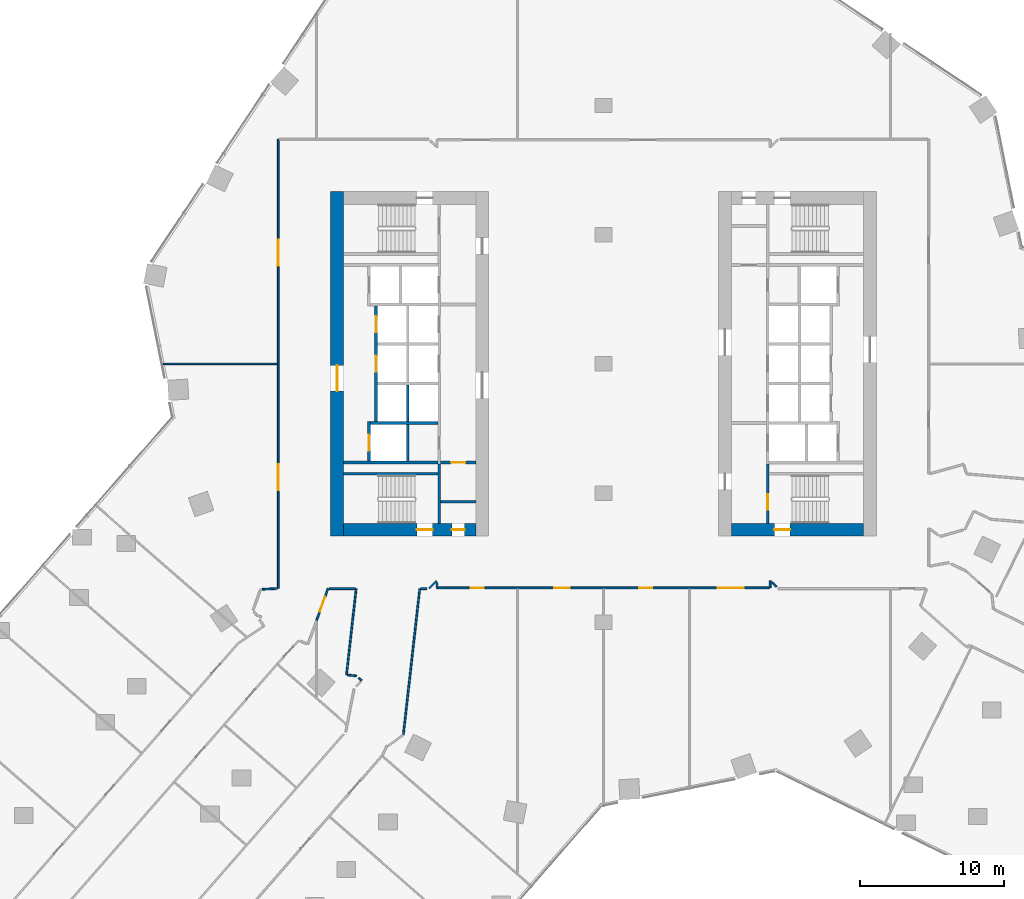
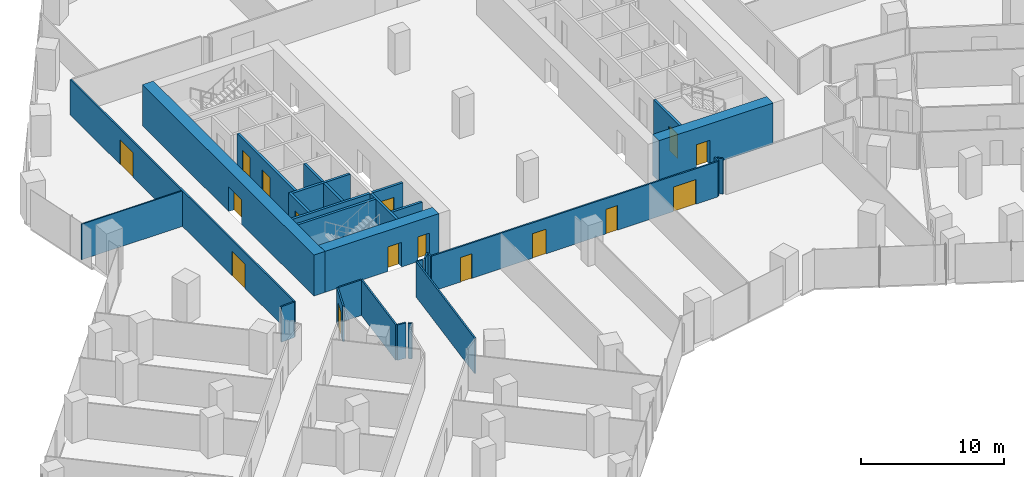
# One storey, part 27 of 38: 29 walls, 16 doors, 16 openings.
"""IFC4 building model written with IfcOpenShell, lengths in metres."""

from ifc_helpers import new_model, si_unit, direction, frame, frame_2d, origin, place, context, subcontext, project, spatial, rectangle, extrude, material, layer, layer_set, type_object, element, fill, save


model = new_model("IFC4")

# Units and contexts
model_context = context("Model", 3, precision=1e-05, world=origin(), true_north=direction((0.0, 1.0)))
body_context = subcontext(model_context, "Body", "Model", "MODEL_VIEW")
ifc_project = project(units=[si_unit("LENGTHUNIT", "METRE"), si_unit("AREAUNIT", "SQUARE_METRE"), si_unit("VOLUMEUNIT", "CUBIC_METRE"), si_unit("PLANEANGLEUNIT", "RADIAN"), si_unit("MASSUNIT", "GRAM", prefix="KILO")], contexts=[model_context])

# Site, building, storey
site_placement = place(None, origin())
site = spatial("IfcSite", under=ifc_project, at=site_placement, CompositionType="ELEMENT")
building_placement = place(site_placement, origin())
building = spatial("IfcBuilding", under=site, at=building_placement, Name="Orlundy Tower", CompositionType="ELEMENT")
storey_placement = place(building_placement, frame((0.0, 0.0, 69.300048828125)))
storey = spatial("IfcBuildingStorey", under=building, at=storey_placement, Name="L16", CompositionType="ELEMENT", Elevation=69.300048828125)

# Wall, openings, doors
ifc_material_1 = material(Name="Concrete C80/95", Category="concrete")
ifc_layer_1 = layer(ifc_material_1, 0.89990234375)
ifc_layer_set_1 = layer_set([ifc_layer_1], Name="CORE WALL 900 C80/95")
wall_type_1 = type_object("IfcWallType", Name="CORE WALL 900 C80/95", PredefinedType="SHEAR", material=ifc_layer_set_1)
wall_1_placement = place(storey_placement, frame((-18.10009765625, -11.550048828125, 0.0), z_axis=(0.0, 0.0, 1.0), x_axis=(1.0, 0.0, 0.0)))
wall_1 = element("IfcWall", 1, at=wall_1_placement, inside=storey, type_object=wall_type_1, Name="Core wall W-S L16", PredefinedType="SHEAR", context=body_context, shape_type="SweptSolid", body=[
    extrude(rectangle(XDim=9.2001953125, YDim=0.89990234375, at=frame_2d((4.60009765625, 0.0))), origin(), (0.0, 0.0, 1.0), 3.5),
])
opening_1_placement = place(wall_1_placement, frame((5.10009765625, 0.0, 0.0)))
opening_1 = element("IfcOpeningElement", 2, at=opening_1_placement, cuts=wall_1, Name="Opening 14013", PredefinedType="OPENING", context=body_context, shape_type="SweptSolid", body=[
    extrude(rectangle(XDim=1.10009765625, YDim=2.10009765625, at=frame_2d((0.550048828125, 1.050048828125))), frame((0.0, 0.4599609375, 0.0), z_axis=(0.0, -1.0, 0.0), x_axis=(1.0, 0.0, 0.0)), (0.0, 0.0, 1.0), 0.919921875),
])
opening_2_placement = place(wall_1_placement, frame((7.530029296875, 0.0, 0.0)))
opening_2 = element("IfcOpeningElement", 3, at=opening_2_placement, cuts=wall_1, Name="Opening 14015", PredefinedType="OPENING", context=body_context, shape_type="SweptSolid", body=[
    extrude(rectangle(XDim=0.89990234375, YDim=2.10009765625, at=frame_2d((0.449951171875, 1.050048828125))), frame((0.0, 0.4599609375, 0.0), z_axis=(0.0, -1.0, 0.0), x_axis=(1.0, 0.0, 0.0)), (0.0, 0.0, 1.0), 0.919921875),
])
ifc_material_2 = material(Name="Timber door set", Category="wood")
door_type_1 = type_object("IfcDoorType", Name="Room Door 900x2100", OperationType="SINGLE_SWING_LEFT", PredefinedType="DOOR", material=ifc_material_2)
door_1_placement = place(opening_2_placement, origin())
door_1 = element("IfcDoor", 4, at=door_1_placement, inside=storey, type_object=door_type_1, Name="Store door 14015", OperationType="SINGLE_SWING_RIGHT", OverallHeight=2.10009765625, OverallWidth=0.89990234375, PredefinedType="DOOR", context=body_context, shape_type="SweptSolid", body=[
    extrude(rectangle(XDim=0.89990234375, YDim=2.10009765625, at=frame_2d((0.449951171875, 1.050048828125))), frame((0.0, 0.02490234375, 0.0), z_axis=(0.0, -1.0, 0.0), x_axis=(1.0, 0.0, 0.0)), (0.0, 0.0, 1.0), 0.050048828125),
])
fill(opening_2, door_1)
ifc_material_3 = material(Name="Steel door set", Category="steel")
door_type_2 = type_object("IfcDoorType", Name="Stair Door 1100x2100", OperationType="SINGLE_SWING_LEFT", PredefinedType="DOOR", material=ifc_material_3)
door_2_placement = place(opening_1_placement, origin())
door_2 = element("IfcDoor", 5, at=door_2_placement, inside=storey, type_object=door_type_2, Name="Stair door 14013", OperationType="SINGLE_SWING_RIGHT", OverallHeight=2.10009765625, OverallWidth=1.10009765625, PredefinedType="DOOR", context=body_context, shape_type="SweptSolid", body=[
    extrude(rectangle(XDim=1.10009765625, YDim=2.10009765625, at=frame_2d((0.550048828125, 1.050048828125))), frame((0.0, 0.02490234375, 0.0), z_axis=(0.0, -1.0, 0.0), x_axis=(1.0, 0.0, 0.0)), (0.0, 0.0, 1.0), 0.050048828125),
])
fill(opening_1, door_2)

# Wall, opening, door
wall_2_placement = place(storey_placement, frame((-18.550048828125, -12.0, 0.0), z_axis=(0.0, 0.0, 1.0), x_axis=(0.0, 1.0, 0.0)))
wall_2 = element("IfcWall", 6, at=wall_2_placement, inside=storey, type_object=wall_type_1, Name="Core wall W-W L16", PredefinedType="SHEAR", context=body_context, shape_type="SweptSolid", body=[
    extrude(rectangle(XDim=24.0, YDim=0.89990234375, at=frame_2d((12.0, 0.0))), origin(), (0.0, 0.0, 1.0), 3.5),
])
opening_3_placement = place(wall_2_placement, frame((10.10009765625, 0.0, 0.0)))
opening_3 = element("IfcOpeningElement", 7, at=opening_3_placement, cuts=wall_2, Name="Opening 14010", PredefinedType="OPENING", context=body_context, shape_type="SweptSolid", body=[
    extrude(rectangle(XDim=1.800048828125, YDim=2.10009765625, at=frame_2d((0.89990234375, 1.050048828125))), frame((0.0, 0.4599609375, 0.0), z_axis=(0.0, -1.0, 0.0), x_axis=(1.0, 0.0, 0.0)), (0.0, 0.0, 1.0), 0.919921875),
])
ifc_material_4 = material(Name="Timber door set", Category="wood")
door_type_3 = type_object("IfcDoorType", Name="Lobby Door 1800x2100", OperationType="DOUBLE_DOOR_DOUBLE_SWING", PredefinedType="DOOR", material=ifc_material_4)
door_3_placement = place(opening_3_placement, origin())
door_3 = element("IfcDoor", 8, at=door_3_placement, inside=storey, type_object=door_type_3, Name="Lift lobby door 14010", OperationType="SINGLE_SWING_LEFT", OverallHeight=2.10009765625, OverallWidth=1.800048828125, PredefinedType="DOOR", context=body_context, shape_type="SweptSolid", body=[
    extrude(rectangle(XDim=1.800048828125, YDim=2.10009765625, at=frame_2d((0.89990234375, 1.050048828125))), frame((0.0, 0.02490234375, 0.0), z_axis=(0.0, -1.0, 0.0), x_axis=(1.0, 0.0, 0.0)), (0.0, 0.0, 1.0), 0.050048828125),
])
fill(opening_3, door_3)

wall_3_placement = place(storey_placement, frame((8.89990234375, -11.550048828125, 0.0), z_axis=(0.0, 0.0, 1.0), x_axis=(1.0, 0.0, 0.0)))
wall_3 = element("IfcWall", 9, at=wall_3_placement, inside=storey, type_object=wall_type_1, Name="Core wall E-S L16", PredefinedType="SHEAR", context=body_context, shape_type="SweptSolid", body=[
    extrude(rectangle(XDim=9.2001953125, YDim=0.89990234375, at=frame_2d((4.60009765625, 0.0))), origin(), (0.0, 0.0, 1.0), 3.5),
])
opening_4_placement = place(wall_3_placement, frame((3.0, 0.0, 0.0)))
opening_4 = element("IfcOpeningElement", 10, at=opening_4_placement, cuts=wall_3, Name="Opening 14061", PredefinedType="OPENING", context=body_context, shape_type="SweptSolid", body=[
    extrude(rectangle(XDim=1.10009765625, YDim=2.10009765625, at=frame_2d((0.550048828125, 1.050048828125))), frame((0.0, 0.4599609375, 0.0), z_axis=(0.0, -1.0, 0.0), x_axis=(1.0, 0.0, 0.0)), (0.0, 0.0, 1.0), 0.919921875),
])
door_4_placement = place(opening_4_placement, origin())
door_4 = element("IfcDoor", 11, at=door_4_placement, inside=storey, type_object=door_type_2, Name="Stair door 14061", OperationType="SINGLE_SWING_LEFT", OverallHeight=2.10009765625, OverallWidth=1.10009765625, PredefinedType="DOOR", context=body_context, shape_type="SweptSolid", body=[
    extrude(rectangle(XDim=1.10009765625, YDim=2.10009765625, at=frame_2d((0.550048828125, 1.050048828125))), frame((0.0, 0.02490234375, 0.0), z_axis=(0.0, -1.0, 0.0), x_axis=(1.0, 0.0, 0.0)), (0.0, 0.0, 1.0), 0.050048828125),
])
fill(opening_4, door_4)

# Walls
ifc_material_5 = material(Name="Gypsum board partition")
ifc_layer_2 = layer(ifc_material_5, 0.10009765625)
ifc_layer_set_2 = layer_set([ifc_layer_2], Name="Floor partition 100")
wall_type_2 = type_object("IfcWallType", Name="Floor partition 100", PredefinedType="PARTITIONING", material=ifc_layer_set_2)
wall_4_placement = place(storey_placement, frame((-30.85107421875, 0.0, 0.0), z_axis=(0.0, 0.0, 1.0), x_axis=(1.0, 0.0, 0.0)))
element("IfcWall", 12, at=wall_4_placement, inside=storey, type_object=wall_type_2, Name="wall-int-L16-050", PredefinedType="PARTITIONING", context=body_context, shape_type="SweptSolid", body=[
    extrude(rectangle(XDim=8.13916015625, YDim=0.10009765625, at=frame_2d((4.069580078125, 0.0))), origin(), (0.0, 0.0, 1.0), 3.030029296875),
])
ifc_material_6 = material(Name="Gypsum board partition, double layer")
ifc_layer_3 = layer(ifc_material_6, 0.125)
ifc_layer_set_3 = layer_set([ifc_layer_3], Name="Floor partition 125")
wall_type_3 = type_object("IfcWallType", Name="Floor partition 125", PredefinedType="PARTITIONING", material=ifc_layer_set_3)
wall_5_placement = place(storey_placement, frame((-11.60107421875, -15.241943359375, 0.0), z_axis=(0.0, 0.0, 1.0), x_axis=(0.002726642898, -0.999996282702, 0.0)))
element("IfcWall", 13, at=wall_5_placement, inside=storey, type_object=wall_type_3, Name="wall-int-L16-001", PredefinedType="PARTITIONING", context=body_context, shape_type="SweptSolid", body=[
    extrude(rectangle(XDim=0.358154296875, YDim=0.125, at=frame_2d((0.17919921875, 0.0))), origin(), (0.0, 0.0, 1.0), 3.030029296875),
])
wall_6_placement = place(storey_placement, frame((11.72900390625, -15.20703125, 0.0), z_axis=(0.0, 0.0, 1.0), x_axis=(0.707106781187, -0.707106781187, 0.0)))
element("IfcWall", 14, at=wall_6_placement, inside=storey, type_object=wall_type_3, Name="wall-int-L16-005", PredefinedType="PARTITIONING", context=body_context, shape_type="SweptSolid", body=[
    extrude(rectangle(XDim=0.4482421875, YDim=0.125, at=frame_2d((0.22412109375, 0.0))), origin(), (0.0, 0.0, 1.0), 3.030029296875),
])
wall_7_placement = place(storey_placement, frame((-17.05810546875, -21.866943359375, 0.0), z_axis=(0.0, 0.0, 1.0), x_axis=(0.747902696109, -0.663808373819, 0.0)))
element("IfcWall", 15, at=wall_7_placement, inside=storey, type_object=wall_type_3, Name="wall-int-L16-009", PredefinedType="PARTITIONING", context=body_context, shape_type="SweptSolid", body=[
    extrude(rectangle(XDim=0.27294921875, YDim=0.125, at=frame_2d((0.136474609375, 0.0))), origin(), (0.0, 0.0, 1.0), 3.030029296875),
])
wall_8_placement = place(storey_placement, frame((-17.840087890625, -21.6650390625, 0.0), z_axis=(0.0, 0.0, 1.0), x_axis=(0.993780638981, -0.111355473987, 0.0)))
element("IfcWall", 16, at=wall_8_placement, inside=storey, type_object=wall_type_3, Name="wall-int-L16-041", PredefinedType="PARTITIONING", context=body_context, shape_type="SweptSolid", body=[
    extrude(rectangle(XDim=0.637939453125, YDim=0.125, at=frame_2d((0.31884765625, 0.0))), origin(), (0.0, 0.0, 1.0), 3.030029296875),
])
wall_9_placement = place(storey_placement, frame((-22.7119140625, -15.64208984375, 0.0), z_axis=(0.0, 0.0, 1.0), x_axis=(-0.998632921129, -0.052271300329, 0.0)))
element("IfcWall", 17, at=wall_9_placement, inside=storey, type_object=wall_type_3, Name="wall-int-L16-045", PredefinedType="PARTITIONING", context=body_context, shape_type="SweptSolid", body=[
    extrude(rectangle(XDim=1.069580078125, YDim=0.125, at=frame_2d((0.53466796875, 0.0))), origin(), (0.0, 0.0, 1.0), 3.030029296875),
])
wall_10_placement = place(storey_placement, frame((-19.10205078125, -15.65087890625, 0.0), z_axis=(0.0, 0.0, 1.0), x_axis=(1.0, 0.0, 0.0)))
element("IfcWall", 18, at=wall_10_placement, inside=storey, type_object=wall_type_3, Name="wall-int-L16-046", PredefinedType="PARTITIONING", context=body_context, shape_type="SweptSolid", body=[
    extrude(rectangle(XDim=1.81396484375, YDim=0.125, at=frame_2d((0.906982421875, 0.0))), origin(), (0.0, 0.0, 1.0), 3.030029296875),
])
wall_11_placement = place(storey_placement, frame((-12.735107421875, -15.65087890625, 0.0), z_axis=(0.0, 0.0, 1.0), x_axis=(1.0, 0.0, 0.0)))
element("IfcWall", 19, at=wall_11_placement, inside=storey, type_object=wall_type_3, Name="wall-int-L16-047", PredefinedType="PARTITIONING", context=body_context, shape_type="SweptSolid", body=[
    extrude(rectangle(XDim=0.424072265625, YDim=0.125, at=frame_2d((0.2119140625, 0.0))), origin(), (0.0, 0.0, 1.0), 3.030029296875),
])

# Wall, openings, doors
wall_12_placement = place(storey_placement, frame((11.5390625, -15.60009765625, 0.0), z_axis=(0.0, 0.0, 1.0), x_axis=(-1.0, 0.0, 0.0)))
wall_12 = element("IfcWall", 20, at=wall_12_placement, inside=storey, type_object=wall_type_3, Name="wall-int-L16-049", PredefinedType="PARTITIONING", context=body_context, shape_type="SweptSolid", body=[
    extrude(rectangle(XDim=23.13916015625, YDim=0.125, at=frame_2d((11.569580078125, 0.0))), origin(), (0.0, 0.0, 1.0), 3.030029296875),
])
opening_5_placement = place(wall_12_placement, frame((19.888427734375, 0.0, 0.0)))
opening_5 = element("IfcOpeningElement", 21, at=opening_5_placement, cuts=wall_12, Name="Opening 14125", PredefinedType="OPENING", context=body_context, shape_type="SweptSolid", body=[
    extrude(rectangle(XDim=0.89990234375, YDim=2.10009765625, at=frame_2d((0.449951171875, 1.050048828125))), frame((0.0, 0.072509765625, 0.0), z_axis=(0.0, -1.0, 0.0), x_axis=(1.0, 0.0, 0.0)), (0.0, 0.0, 1.0), 0.14501953125),
])
opening_6_placement = place(wall_12_placement, frame((13.888427734375, 0.0, 0.0)))
opening_6 = element("IfcOpeningElement", 22, at=opening_6_placement, cuts=wall_12, Name="Opening 14126", PredefinedType="OPENING", context=body_context, shape_type="SweptSolid", body=[
    extrude(rectangle(XDim=1.10009765625, YDim=2.10009765625, at=frame_2d((0.550048828125, 1.050048828125))), frame((0.0, 0.072509765625, 0.0), z_axis=(0.0, -1.0, 0.0), x_axis=(1.0, 0.0, 0.0)), (0.0, 0.0, 1.0), 0.14501953125),
])
opening_7_placement = place(wall_12_placement, frame((8.138427734375, 0.0, 0.0)))
opening_7 = element("IfcOpeningElement", 23, at=opening_7_placement, cuts=wall_12, Name="Opening 14127", PredefinedType="OPENING", context=body_context, shape_type="SweptSolid", body=[
    extrude(rectangle(XDim=0.89990234375, YDim=2.10009765625, at=frame_2d((0.449951171875, 1.050048828125))), frame((0.0, 0.072509765625, 0.0), z_axis=(0.0, -1.0, 0.0), x_axis=(1.0, 0.0, 0.0)), (0.0, 0.0, 1.0), 0.14501953125),
])
opening_8_placement = place(wall_12_placement, frame((1.78759765625, 0.0, 0.0)))
opening_8 = element("IfcOpeningElement", 24, at=opening_8_placement, cuts=wall_12, Name="Opening 14128", PredefinedType="OPENING", context=body_context, shape_type="SweptSolid", body=[
    extrude(rectangle(XDim=1.800048828125, YDim=2.10009765625, at=frame_2d((0.89990234375, 1.050048828125))), frame((0.0, 0.072509765625, 0.0), z_axis=(0.0, -1.0, 0.0), x_axis=(1.0, 0.0, 0.0)), (0.0, 0.0, 1.0), 0.14501953125),
])
ifc_material_7 = material(Name="Timber door leaf", Category="wood")
door_type_4 = type_object("IfcDoorType", Name="Floor door double 1800 FD30S", OperationType="NOTDEFINED", PredefinedType="DOOR", material=ifc_material_7)
door_5_placement = place(opening_8_placement, origin())
door_5 = element("IfcDoor", 25, at=door_5_placement, inside=storey, type_object=door_type_4, Name="Door 14128", OperationType="DOUBLE_DOOR_SINGLE_SWING", OverallHeight=2.10009765625, OverallWidth=1.800048828125, PredefinedType="DOOR", context=body_context, shape_type="SweptSolid", body=[
    extrude(rectangle(XDim=1.800048828125, YDim=2.10009765625, at=frame_2d((0.89990234375, 1.050048828125))), frame((0.0, 0.02490234375, 0.0), z_axis=(0.0, -1.0, 0.0), x_axis=(1.0, 0.0, 0.0)), (0.0, 0.0, 1.0), 0.050048828125),
])
fill(opening_8, door_5)
ifc_material_8 = material(Name="Timber door leaf", Category="wood")
door_type_5 = type_object("IfcDoorType", Name="Floor door single 900 FD30S", OperationType="NOTDEFINED", PredefinedType="DOOR", material=ifc_material_8)
door_6_placement = place(opening_5_placement, origin())
door_6 = element("IfcDoor", 26, at=door_6_placement, inside=storey, type_object=door_type_5, Name="Door 14125", OperationType="SINGLE_SWING_RIGHT", OverallHeight=2.10009765625, OverallWidth=0.89990234375, PredefinedType="DOOR", context=body_context, shape_type="SweptSolid", body=[
    extrude(rectangle(XDim=0.89990234375, YDim=2.10009765625, at=frame_2d((0.449951171875, 1.050048828125))), frame((0.0, 0.02490234375, 0.0), z_axis=(0.0, -1.0, 0.0), x_axis=(1.0, 0.0, 0.0)), (0.0, 0.0, 1.0), 0.050048828125),
])
fill(opening_5, door_6)
door_7_placement = place(opening_7_placement, origin())
door_7 = element("IfcDoor", 27, at=door_7_placement, inside=storey, type_object=door_type_5, Name="Door 14127", OperationType="SINGLE_SWING_LEFT", OverallHeight=2.10009765625, OverallWidth=0.89990234375, PredefinedType="DOOR", context=body_context, shape_type="SweptSolid", body=[
    extrude(rectangle(XDim=0.89990234375, YDim=2.10009765625, at=frame_2d((0.449951171875, 1.050048828125))), frame((0.0, 0.02490234375, 0.0), z_axis=(0.0, -1.0, 0.0), x_axis=(1.0, 0.0, 0.0)), (0.0, 0.0, 1.0), 0.050048828125),
])
fill(opening_7, door_7)
ifc_material_9 = material(Name="Timber door leaf", Category="wood")
door_type_6 = type_object("IfcDoorType", Name="Floor door xwide 1100 FD30S", OperationType="NOTDEFINED", PredefinedType="DOOR", material=ifc_material_9)
door_8_placement = place(opening_6_placement, origin())
door_8 = element("IfcDoor", 28, at=door_8_placement, inside=storey, type_object=door_type_6, Name="Door 14126", OperationType="SINGLE_SWING_RIGHT", OverallHeight=2.10009765625, OverallWidth=1.10009765625, PredefinedType="DOOR", context=body_context, shape_type="SweptSolid", body=[
    extrude(rectangle(XDim=1.10009765625, YDim=2.10009765625, at=frame_2d((0.550048828125, 1.050048828125))), frame((0.0, 0.02490234375, 0.0), z_axis=(0.0, -1.0, 0.0), x_axis=(1.0, 0.0, 0.0)), (0.0, 0.0, 1.0), 0.050048828125),
])
fill(opening_6, door_8)

# Wall
wall_13_placement = place(storey_placement, frame((-12.153076171875, -15.631103515625, 0.0), z_axis=(0.0, 0.0, 1.0), x_axis=(0.707106781187, 0.707106781187, 0.0)))
element("IfcWall", 29, at=wall_13_placement, inside=storey, type_object=wall_type_3, Name="wall-int-L16-059", PredefinedType="PARTITIONING", context=body_context, shape_type="SweptSolid", body=[
    extrude(rectangle(XDim=0.7509765625, YDim=0.125, at=frame_2d((0.37548828125, 0.0))), origin(), (0.0, 0.0, 1.0), 3.030029296875),
])

# Wall, opening, door
wall_14_placement = place(storey_placement, frame((-19.19091796875, -15.65087890625, 0.0), z_axis=(0.0, 0.0, 1.0), x_axis=(-0.338423918893, -0.940993757217, 0.0)))
wall_14 = element("IfcWall", 30, at=wall_14_placement, inside=storey, type_object=wall_type_3, Name="wall-int-L16-083", PredefinedType="PARTITIONING", context=body_context, shape_type="SweptSolid", body=[
    extrude(rectangle(XDim=2.34033203125, YDim=0.125, at=frame_2d((1.170166015625, 0.0))), origin(), (0.0, 0.0, 1.0), 3.030029296875),
])
opening_9_placement = place(wall_14_placement, frame((0.60009765625, 0.0, 0.0)))
opening_9 = element("IfcOpeningElement", 31, at=opening_9_placement, cuts=wall_14, Name="Opening 14124", PredefinedType="OPENING", context=body_context, shape_type="SweptSolid", body=[
    extrude(rectangle(XDim=1.10009765625, YDim=2.10009765625, at=frame_2d((0.550048828125, 1.050048828125))), frame((0.0, 0.072509765625, 0.0), z_axis=(0.0, -1.0, 0.0), x_axis=(1.0, 0.0, 0.0)), (0.0, 0.0, 1.0), 0.14501953125),
])
door_9_placement = place(opening_9_placement, origin())
door_9 = element("IfcDoor", 32, at=door_9_placement, inside=storey, type_object=door_type_6, Name="Door 14124", OperationType="SINGLE_SWING_LEFT", OverallHeight=2.10009765625, OverallWidth=1.10009765625, PredefinedType="DOOR", context=body_context, shape_type="SweptSolid", body=[
    extrude(rectangle(XDim=1.10009765625, YDim=2.10009765625, at=frame_2d((0.550048828125, 1.050048828125))), frame((0.0, 0.02490234375, 0.0), z_axis=(0.0, -1.0, 0.0), x_axis=(1.0, 0.0, 0.0)), (0.0, 0.0, 1.0), 0.050048828125),
])
fill(opening_9, door_9)

# Walls
wall_15_placement = place(storey_placement, frame((-13.944091796875, -25.837890625, 0.0), z_axis=(0.0, 0.0, 1.0), x_axis=(0.111803887366, 0.993730290758, 0.0)))
element("IfcWall", 33, at=wall_15_placement, inside=storey, type_object=wall_type_3, Name="wall-int-L16-088", PredefinedType="PARTITIONING", context=body_context, shape_type="SweptSolid", body=[
    extrude(rectangle(XDim=10.25, YDim=0.125, at=frame_2d((5.125, 0.0))), origin(), (0.0, 0.0, 1.0), 3.030029296875),
])
wall_16_placement = place(storey_placement, frame((-17.902099609375, -21.656982421875, 0.0), z_axis=(0.0, 0.0, 1.0), x_axis=(0.111672630046, 0.993745049647, 0.0)))
element("IfcWall", 34, at=wall_16_placement, inside=storey, type_object=wall_type_3, Name="wall-int-L16-089", PredefinedType="PARTITIONING", context=body_context, shape_type="SweptSolid", body=[
    extrude(rectangle(XDim=6.044921875, YDim=0.125, at=frame_2d((3.0224609375, 0.0))), origin(), (0.0, 0.0, 1.0), 3.030029296875),
])
wall_17_placement = place(storey_placement, frame((11.60107421875, -15.60009765625, 0.0), z_axis=(0.0, 0.0, 1.0), x_axis=(0.0, 1.0, 0.0)))
element("IfcWall", 35, at=wall_17_placement, inside=storey, type_object=wall_type_3, Name="wall-int-L16-095", PredefinedType="PARTITIONING", context=body_context, shape_type="SweptSolid", body=[
    extrude(rectangle(XDim=0.508056640625, YDim=0.125, at=frame_2d((0.25390625, 0.0))), origin(), (0.0, 0.0, 1.0), 3.030029296875),
])

# Wall, openings, doors
wall_18_placement = place(storey_placement, frame((-22.64990234375, -15.638916015625, 0.0), z_axis=(0.0, 0.0, 1.0), x_axis=(0.0, 1.0, 0.0)))
wall_18 = element("IfcWall", 36, at=wall_18_placement, inside=storey, type_object=wall_type_3, Name="wall-int-L16-103", PredefinedType="PARTITIONING", context=body_context, shape_type="SweptSolid", body=[
    extrude(rectangle(XDim=31.289794921875, YDim=0.125, at=frame_2d((15.64501953125, 0.0))), origin(), (0.0, 0.0, 1.0), 3.030029296875),
])
opening_10_placement = place(wall_18_placement, frame((6.85009765625, 0.0, 0.0)))
opening_10 = element("IfcOpeningElement", 37, at=opening_10_placement, cuts=wall_18, Name="Opening 14122", PredefinedType="OPENING", context=body_context, shape_type="SweptSolid", body=[
    extrude(rectangle(XDim=1.800048828125, YDim=2.10009765625, at=frame_2d((0.89990234375, 1.050048828125))), frame((0.0, 0.072509765625, 0.0), z_axis=(0.0, -1.0, 0.0), x_axis=(1.0, 0.0, 0.0)), (0.0, 0.0, 1.0), 0.14501953125),
])
opening_11_placement = place(wall_18_placement, frame((22.489013671875, 0.0, 0.0)))
opening_11 = element("IfcOpeningElement", 38, at=opening_11_placement, cuts=wall_18, Name="Opening 14135", PredefinedType="OPENING", context=body_context, shape_type="SweptSolid", body=[
    extrude(rectangle(XDim=1.800048828125, YDim=2.10009765625, at=frame_2d((0.89990234375, 1.050048828125))), frame((0.0, 0.072509765625, 0.0), z_axis=(0.0, -1.0, 0.0), x_axis=(1.0, 0.0, 0.0)), (0.0, 0.0, 1.0), 0.14501953125),
])
door_10_placement = place(opening_10_placement, origin())
door_10 = element("IfcDoor", 39, at=door_10_placement, inside=storey, type_object=door_type_4, Name="Door 14122", OperationType="DOUBLE_DOOR_SINGLE_SWING", OverallHeight=2.10009765625, OverallWidth=1.800048828125, PredefinedType="DOOR", context=body_context, shape_type="SweptSolid", body=[
    extrude(rectangle(XDim=1.800048828125, YDim=2.10009765625, at=frame_2d((0.89990234375, 1.050048828125))), frame((0.0, 0.02490234375, 0.0), z_axis=(0.0, -1.0, 0.0), x_axis=(1.0, 0.0, 0.0)), (0.0, 0.0, 1.0), 0.050048828125),
])
fill(opening_10, door_10)
door_11_placement = place(opening_11_placement, origin())
door_11 = element("IfcDoor", 40, at=door_11_placement, inside=storey, type_object=door_type_4, Name="Door 14135", OperationType="DOUBLE_DOOR_SINGLE_SWING", OverallHeight=2.10009765625, OverallWidth=1.800048828125, PredefinedType="DOOR", context=body_context, shape_type="SweptSolid", body=[
    extrude(rectangle(XDim=1.800048828125, YDim=2.10009765625, at=frame_2d((0.89990234375, 1.050048828125))), frame((0.0, 0.02490234375, 0.0), z_axis=(0.0, -1.0, 0.0), x_axis=(1.0, 0.0, 0.0)), (0.0, 0.0, 1.0), 0.050048828125),
])
fill(opening_11, door_11)

# Walls
ifc_material_10 = material(Name="Concrete C40/50", Category="concrete")
ifc_layer_4 = layer(ifc_material_10, 0.199951171875)
ifc_layer_set_4 = layer_set([ifc_layer_4], Name="Load-bearing Shaft Wall 200")
wall_type_4 = type_object("IfcWallType", Name="Load-bearing Shaft Wall 200", PredefinedType="SOLIDWALL", material=ifc_layer_set_4)
wall_19_placement = place(storey_placement, frame((-11.43994140625, -11.10009765625, 0.0), z_axis=(0.0, 0.0, 1.0), x_axis=(0.0, 1.0, 0.0)))
element("IfcWall", 41, at=wall_19_placement, inside=storey, type_object=wall_type_4, Name="Shaft wall W14-stair-end-s", PredefinedType="SOLIDWALL", context=body_context, shape_type="SweptSolid", body=[
    extrude(rectangle(XDim=4.125, YDim=0.199951171875, at=frame_2d((2.0625, 0.0))), origin(), (0.0, 0.0, 1.0), 3.08984375),
])
wall_20_placement = place(storey_placement, frame((-11.5400390625, -7.64990234375, 0.0), z_axis=(0.0, 0.0, 1.0), x_axis=(-1.0, 0.0, 0.0)))
element("IfcWall", 42, at=wall_20_placement, inside=storey, type_object=wall_type_4, Name="Shaft wall W14-stair-side-s", PredefinedType="SOLIDWALL", context=body_context, shape_type="SweptSolid", body=[
    extrude(rectangle(XDim=6.56005859375, YDim=0.199951171875, at=frame_2d((3.280029296875, 0.0))), origin(), (0.0, 0.0, 1.0), 3.08984375),
])

# Wall, opening, door
wall_21_placement = place(storey_placement, frame((11.43994140625, -6.97509765625, 0.0), z_axis=(0.0, 0.0, 1.0), x_axis=(0.0, -1.0, 0.0)))
wall_21 = element("IfcWall", 43, at=wall_21_placement, inside=storey, type_object=wall_type_4, Name="Shaft wall E14-stair-end-n", PredefinedType="SOLIDWALL", context=body_context, shape_type="SweptSolid", body=[
    extrude(rectangle(XDim=4.125, YDim=0.199951171875, at=frame_2d((2.0625, 0.0))), origin(), (0.0, 0.0, 1.0), 3.08984375),
])
opening_12_placement = place(wall_21_placement, frame((2.10009765625, 0.0, 0.0)))
opening_12 = element("IfcOpeningElement", 44, at=opening_12_placement, cuts=wall_21, Name="Opening 14063", PredefinedType="OPENING", context=body_context, shape_type="SweptSolid", body=[
    extrude(rectangle(XDim=1.10009765625, YDim=2.10009765625, at=frame_2d((0.550048828125, 1.050048828125))), frame((0.0, 0.110107421875, 0.0), z_axis=(0.0, -1.0, 0.0), x_axis=(1.0, 0.0, 0.0)), (0.0, 0.0, 1.0), 0.22021484375),
])
ifc_material_11 = material(Name="Steel door set", Category="steel")
door_type_7 = type_object("IfcDoorType", Name="Fire-fighting Lobby Door 1100x2100", OperationType="SINGLE_SWING_LEFT", PredefinedType="DOOR", material=ifc_material_11)
door_12_placement = place(opening_12_placement, origin())
door_12 = element("IfcDoor", 45, at=door_12_placement, inside=storey, type_object=door_type_7, Name="Fire-fighting lobby to stair door 14063", OperationType="SINGLE_SWING_RIGHT", OverallHeight=2.10009765625, OverallWidth=1.10009765625, PredefinedType="DOOR", context=body_context, shape_type="SweptSolid", body=[
    extrude(rectangle(XDim=1.10009765625, YDim=2.10009765625, at=frame_2d((0.550048828125, 1.050048828125))), frame((0.0, 0.02490234375, 0.0), z_axis=(0.0, -1.0, 0.0), x_axis=(1.0, 0.0, 0.0)), (0.0, 0.0, 1.0), 0.050048828125),
])
fill(opening_12, door_12)

ifc_material_12 = material(Name="Gypsum board partition on steel studs", Category="steel")
ifc_layer_5 = layer(ifc_material_12, 0.199951171875)
ifc_layer_set_5 = layer_set([ifc_layer_5], Name="Partition 200")
wall_type_5 = type_object("IfcWallType", Name="Partition 200", PredefinedType="PARTITIONING", material=ifc_layer_set_5)
wall_22_placement = place(storey_placement, frame((-8.89990234375, -6.875, 0.0), z_axis=(0.0, 0.0, 1.0), x_axis=(-1.0, 0.0, 0.0)))
wall_22 = element("IfcWall", 46, at=wall_22_placement, inside=storey, type_object=wall_type_5, Name="Partition wall W14-end-s", PredefinedType="PARTITIONING", context=body_context, shape_type="SweptSolid", body=[
    extrude(rectangle(XDim=2.440185546875, YDim=0.199951171875, at=frame_2d((1.22021484375, 0.0))), origin(), (0.0, 0.0, 1.0), 3.08984375),
])
opening_13_placement = place(wall_22_placement, frame((0.719970703125, 0.0, 0.0)))
opening_13 = element("IfcOpeningElement", 47, at=opening_13_placement, cuts=wall_22, Name="Opening 14016", PredefinedType="OPENING", context=body_context, shape_type="SweptSolid", body=[
    extrude(rectangle(XDim=1.0, YDim=2.10009765625, at=frame_2d((0.5, 1.050048828125))), frame((0.0, 0.110107421875, 0.0), z_axis=(0.0, -1.0, 0.0), x_axis=(1.0, 0.0, 0.0)), (0.0, 0.0, 1.0), 0.22021484375),
])
ifc_material_13 = material(Name="Timber door set", Category="wood")
door_type_8 = type_object("IfcDoorType", Name="Accessible Door 1000x2100", OperationType="SINGLE_SWING_LEFT", PredefinedType="DOOR", material=ifc_material_13)
door_13_placement = place(opening_13_placement, origin())
door_13 = element("IfcDoor", 48, at=door_13_placement, inside=storey, type_object=door_type_8, Name="Accessible WC door 14016", OperationType="SINGLE_SWING_RIGHT", OverallHeight=2.10009765625, OverallWidth=1.0, PredefinedType="DOOR", context=body_context, shape_type="SweptSolid", body=[
    extrude(rectangle(XDim=1.0, YDim=2.10009765625, at=frame_2d((0.5, 1.050048828125))), frame((0.0, 0.02490234375, 0.0), z_axis=(0.0, -1.0, 0.0), x_axis=(1.0, 0.0, 0.0)), (0.0, 0.0, 1.0), 0.050048828125),
])
fill(opening_13, door_13)

# Walls
wall_23_placement = place(storey_placement, frame((-8.89990234375, -9.60009765625, 0.0), z_axis=(0.0, 0.0, 1.0), x_axis=(-1.0, 0.0, 0.0)))
element("IfcWall", 49, at=wall_23_placement, inside=storey, type_object=wall_type_5, Name="Partition wall W14-room-s0", PredefinedType="PARTITIONING", context=body_context, shape_type="SweptSolid", body=[
    extrude(rectangle(XDim=2.440185546875, YDim=0.199951171875, at=frame_2d((1.22021484375, 0.0))), origin(), (0.0, 0.0, 1.0), 3.08984375),
])
ifc_material_14 = material(Name="Fire-rated blockwork shaft wall", Category="masonry")
ifc_layer_6 = layer(ifc_material_14, 0.199951171875)
ifc_layer_set_6 = layer_set([ifc_layer_6], Name="Shaft Wall 200")
wall_type_6 = type_object("IfcWallType", Name="Shaft Wall 200", PredefinedType="SOLIDWALL", material=ifc_layer_set_6)
wall_24_placement = place(storey_placement, frame((-11.5400390625, -6.875, 0.0), z_axis=(0.0, 0.0, 1.0), x_axis=(-1.0, 0.0, 0.0)))
element("IfcWall", 50, at=wall_24_placement, inside=storey, type_object=wall_type_6, Name="Shaft wall W14-zone-s", PredefinedType="SOLIDWALL", context=body_context, shape_type="SweptSolid", body=[
    extrude(rectangle(XDim=6.56005859375, YDim=0.199951171875, at=frame_2d((3.280029296875, 0.0))), origin(), (0.0, 0.0, 1.0), 3.08984375),
])
wall_25_placement = place(storey_placement, frame((-11.5400390625, -4.125, 0.0), z_axis=(0.0, 0.0, 1.0), x_axis=(-1.0, 0.0, 0.0)))
element("IfcWall", 51, at=wall_25_placement, inside=storey, type_object=wall_type_6, Name="Shaft wall W14-cross-4.125", PredefinedType="SOLIDWALL", context=body_context, shape_type="SweptSolid", body=[
    extrude(rectangle(XDim=4.699951171875, YDim=0.199951171875, at=frame_2d((2.35009765625, 0.0))), origin(), (0.0, 0.0, 1.0), 3.08984375),
])
for number, where, z_axis, x_axis, name in (
    (52, (-13.639892578125, -6.77490234375, 0.0), (0.0, 0.0, 1.0), (0.0, 1.0, 0.0), "Shaft wall W14-mid-a"),
    (53, (-13.639892578125, -4.02490234375, 0.0), (0.0, 0.0, 1.0), (0.0, 1.0, 0.0), "Shaft wall W14-mid-a.1"),
):
    element("IfcWall", number, at=place(storey_placement, frame(where, z_axis=z_axis, x_axis=x_axis)), inside=storey, type_object=wall_type_6, Name=name, PredefinedType="SOLIDWALL", context=body_context, shape_type="SweptSolid", body=[
        extrude(rectangle(XDim=2.5498046875, YDim=0.199951171875, at=frame_2d((1.27490234375, 0.0))), origin(), (0.0, 0.0, 1.0), 3.08984375),
    ])

# Wall, opening, door
wall_26_placement = place(storey_placement, frame((-16.340087890625, -6.77490234375, 0.0), z_axis=(0.0, 0.0, 1.0), x_axis=(0.0, 1.0, 0.0)))
wall_26 = element("IfcWall", 54, at=wall_26_placement, inside=storey, type_object=wall_type_6, Name="Shaft wall W14-front-o-a", PredefinedType="SOLIDWALL", context=body_context, shape_type="SweptSolid", body=[
    extrude(rectangle(XDim=2.75, YDim=0.199951171875, at=frame_2d((1.375, 0.0))), origin(), (0.0, 0.0, 1.0), 3.08984375),
])
opening_14_placement = place(wall_26_placement, frame((0.72509765625, 0.0, 0.0)))
opening_14 = element("IfcOpeningElement", 55, at=opening_14_placement, cuts=wall_26, Name="Opening 14001", PredefinedType="OPENING", context=body_context, shape_type="SweptSolid", body=[
    extrude(rectangle(XDim=1.10009765625, YDim=2.10009765625, at=frame_2d((0.550048828125, 1.050048828125))), frame((0.0, 0.110107421875, 0.0), z_axis=(0.0, -1.0, 0.0), x_axis=(1.0, 0.0, 0.0)), (0.0, 0.0, 1.0), 0.22021484375),
])
ifc_material_15 = material(Name="Steel door set", Category="steel")
door_type_9 = type_object("IfcDoorType", Name="Landing Door 1100x2100", OperationType="DOUBLE_DOOR_SLIDING", PredefinedType="DOOR", material=ifc_material_15)
door_14_placement = place(opening_14_placement, origin())
door_14 = element("IfcDoor", 56, at=door_14_placement, inside=storey, type_object=door_type_9, Name="Lift landing door LV-01 14001", OperationType="DOUBLE_DOOR_SLIDING", OverallHeight=2.10009765625, OverallWidth=1.10009765625, PredefinedType="DOOR", context=body_context, shape_type="SweptSolid", body=[
    extrude(rectangle(XDim=1.10009765625, YDim=2.10009765625, at=frame_2d((0.550048828125, 1.050048828125))), frame((0.0, 0.02490234375, 0.0), z_axis=(0.0, -1.0, 0.0), x_axis=(1.0, 0.0, 0.0)), (0.0, 0.0, 1.0), 0.050048828125),
])
fill(opening_14, door_14)

# Wall, openings, doors
wall_27_placement = place(storey_placement, frame((-15.840087890625, -4.02490234375, 0.0), z_axis=(0.0, 0.0, 1.0), x_axis=(0.0, 1.0, 0.0)))
wall_27 = element("IfcWall", 57, at=wall_27_placement, inside=storey, type_object=wall_type_6, Name="Shaft wall W14-front-o-b", PredefinedType="SOLIDWALL", context=body_context, shape_type="SweptSolid", body=[
    extrude(rectangle(XDim=8.0498046875, YDim=0.199951171875, at=frame_2d((4.02490234375, 0.0))), origin(), (0.0, 0.0, 1.0), 3.08984375),
])
opening_15_placement = place(wall_27_placement, frame((3.47509765625, 0.0, 0.0)))
opening_15 = element("IfcOpeningElement", 58, at=opening_15_placement, cuts=wall_27, Name="Opening 14003", PredefinedType="OPENING", context=body_context, shape_type="SweptSolid", body=[
    extrude(rectangle(XDim=1.10009765625, YDim=2.10009765625, at=frame_2d((0.550048828125, 1.050048828125))), frame((0.0, 0.110107421875, 0.0), z_axis=(0.0, -1.0, 0.0), x_axis=(1.0, 0.0, 0.0)), (0.0, 0.0, 1.0), 0.22021484375),
])
opening_16_placement = place(wall_27_placement, frame((6.22509765625, 0.0, 0.0)))
opening_16 = element("IfcOpeningElement", 59, at=opening_16_placement, cuts=wall_27, Name="Opening 14005", PredefinedType="OPENING", context=body_context, shape_type="SweptSolid", body=[
    extrude(rectangle(XDim=1.10009765625, YDim=2.10009765625, at=frame_2d((0.550048828125, 1.050048828125))), frame((0.0, 0.110107421875, 0.0), z_axis=(0.0, -1.0, 0.0), x_axis=(1.0, 0.0, 0.0)), (0.0, 0.0, 1.0), 0.22021484375),
])
door_15_placement = place(opening_15_placement, origin())
door_15 = element("IfcDoor", 60, at=door_15_placement, inside=storey, type_object=door_type_9, Name="Lift landing door LP-01 14003", OperationType="DOUBLE_DOOR_SLIDING", OverallHeight=2.10009765625, OverallWidth=1.10009765625, PredefinedType="DOOR", context=body_context, shape_type="SweptSolid", body=[
    extrude(rectangle(XDim=1.10009765625, YDim=2.10009765625, at=frame_2d((0.550048828125, 1.050048828125))), frame((0.0, 0.02490234375, 0.0), z_axis=(0.0, -1.0, 0.0), x_axis=(1.0, 0.0, 0.0)), (0.0, 0.0, 1.0), 0.050048828125),
])
fill(opening_15, door_15)
door_16_placement = place(opening_16_placement, origin())
door_16 = element("IfcDoor", 61, at=door_16_placement, inside=storey, type_object=door_type_9, Name="Lift landing door LP-03 14005", OperationType="DOUBLE_DOOR_SLIDING", OverallHeight=2.10009765625, OverallWidth=1.10009765625, PredefinedType="DOOR", context=body_context, shape_type="SweptSolid", body=[
    extrude(rectangle(XDim=1.10009765625, YDim=2.10009765625, at=frame_2d((0.550048828125, 1.050048828125))), frame((0.0, 0.02490234375, 0.0), z_axis=(0.0, -1.0, 0.0), x_axis=(1.0, 0.0, 0.0)), (0.0, 0.0, 1.0), 0.050048828125),
])
fill(opening_16, door_16)

save(model, "model.ifc")
